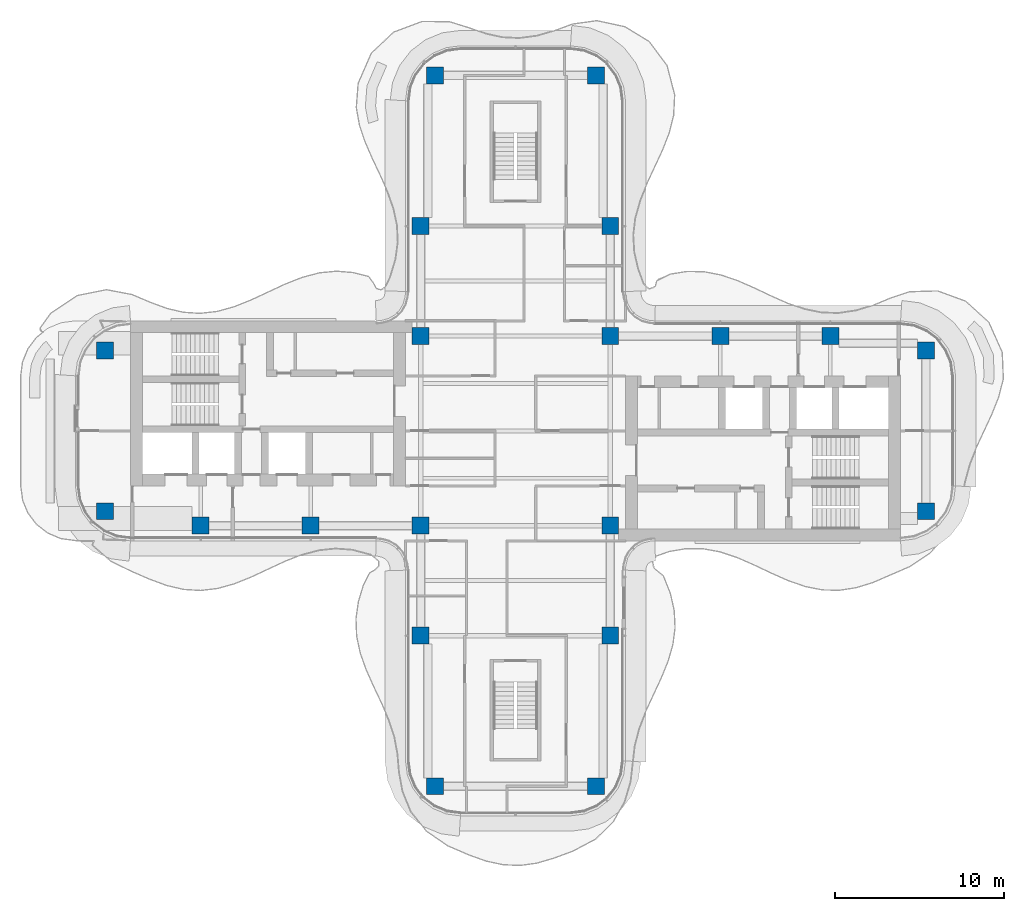
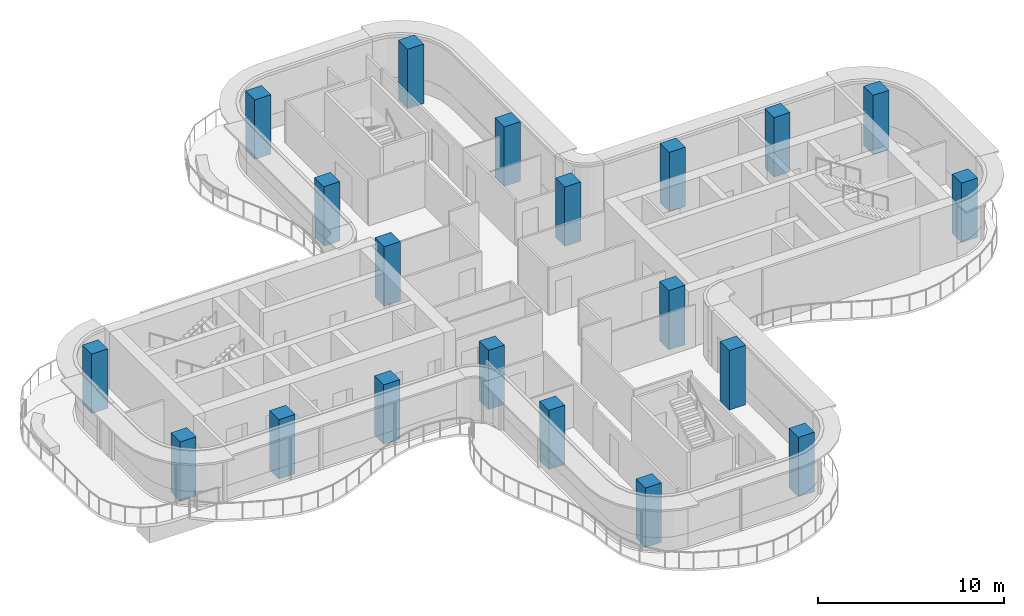
# One storey, part 1 of 17: 20 columns.
"""IFC4 building model written with IfcOpenShell, lengths in metres."""

from ifc_helpers import new_model, si_unit, direction, frame, origin, origin_2d, place, context, subcontext, project, spatial, rectangle, extrude, source, transform, mapped, material, material_profile, profile_set, type_object, element, save


model = new_model("IFC4")

# Units and contexts
model_context = context("Model", 3, precision=1e-05, world=origin(), true_north=direction((0.0, 1.0)))
body_context = subcontext(model_context, "Body", "Model", "MODEL_VIEW")
ifc_project = project(units=[si_unit("LENGTHUNIT", "METRE"), si_unit("AREAUNIT", "SQUARE_METRE"), si_unit("VOLUMEUNIT", "CUBIC_METRE"), si_unit("PLANEANGLEUNIT", "RADIAN"), si_unit("MASSUNIT", "GRAM", prefix="KILO")], contexts=[model_context])

# Site, building, storey
site_placement = place(None, origin())
site = spatial("IfcSite", under=ifc_project, at=site_placement, CompositionType="ELEMENT")
building_placement = place(site_placement, origin())
building = spatial("IfcBuilding", under=site, at=building_placement, Name="Trellis Farm Tower", CompositionType="ELEMENT")
storey_placement = place(building_placement, frame((0.0, 0.0, 279.39990234375)))
storey = spatial("IfcBuildingStorey", under=building, at=storey_placement, Name="L62", CompositionType="ELEMENT", Elevation=279.39990234375)

# Columns
ifc_material = material(Name="Concrete C60/75", Category="concrete")
ifc_material_profile = material_profile(ifc_material, rectangle(XDim=1.0, YDim=1.0, at=origin_2d()), Name="RC column 1000x1000 C60/75")
ifc_profile_set = profile_set([ifc_material_profile], Name="Concrete C60/75")
column_type = type_object("IfcColumnType", Name="RC column 1000x1000 C60/75", PredefinedType="COLUMN", material=ifc_profile_set)
shared_shape = source(origin(), body_context, "Body", "SweptSolid", [
    extrude(rectangle(XDim=1.0, YDim=1.0, at=origin_2d()), origin(), (0.0, 0.0, 1.0), 3.900146484375),
])
for number, where, z_axis, x_axis, name in (
    (1, (12.10009765625, 5.60009765625, 0.0), (0.0, 0.0, 1.0), (1.0, 0.0, 0.0), "Column"),
    (2, (18.60009765625, 5.60009765625, 0.0), (0.0, 0.0, 1.0), (1.0, 0.0, 0.0), "Column"),
    (3, (24.25, 4.75, 0.0), (0.0, 0.0, 1.0), (1.0, 0.0, 0.0), "Column"),
    (4, (24.25, -4.75, 0.0), (0.0, 0.0, 1.0), (1.0, 0.0, 0.0), "Column"),
    (5, (-5.60009765625, 12.10009765625, 0.0), (0.0, 0.0, 1.0), (1.0, 0.0, 0.0), "Column"),
    (6, (-4.75, 21.0, 0.0), (0.0, 0.0, 1.0), (1.0, 0.0, 0.0), "Column"),
    (7, (5.60009765625, 12.10009765625, 0.0), (0.0, 0.0, 1.0), (1.0, 0.0, 0.0), "Column"),
    (8, (4.75, 21.0, 0.0), (0.0, 0.0, 1.0), (1.0, 0.0, 0.0), "Column"),
    (9, (5.60009765625, 5.60009765625, 0.0), (0.0, 0.0, 1.0), (1.0, 0.0, 0.0), "Column"),
    (10, (-5.60009765625, 5.60009765625, 0.0), (0.0, 0.0, 1.0), (1.0, 0.0, 0.0), "Column"),
    (11, (5.60009765625, -5.60009765625, 0.0), (0.0, 0.0, 1.0), (1.0, 0.0, 0.0), "Column"),
    (12, (-5.60009765625, -5.60009765625, 0.0), (0.0, 0.0, 1.0), (1.0, 0.0, 0.0), "Column"),
    (13, (5.60009765625, -12.10009765625, 0.0), (0.0, 0.0, 1.0), (1.0, 0.0, 0.0), "Column"),
    (14, (4.75, -21.0, 0.0), (0.0, 0.0, 1.0), (1.0, 0.0, 0.0), "Column"),
    (15, (-5.60009765625, -12.10009765625, 0.0), (0.0, 0.0, 1.0), (1.0, 0.0, 0.0), "Column"),
    (16, (-4.75, -21.0, 0.0), (0.0, 0.0, 1.0), (1.0, 0.0, 0.0), "Column"),
    (17, (-12.10009765625, -5.60009765625, 0.0), (0.0, 0.0, 1.0), (1.0, 0.0, 0.0), "Column"),
    (18, (-18.60009765625, -5.60009765625, 0.0), (0.0, 0.0, 1.0), (1.0, 0.0, 0.0), "Column"),
    (19, (-24.25, -4.75, 0.0), (0.0, 0.0, 1.0), (1.0, 0.0, 0.0), "Column"),
    (20, (-24.25, 4.75, 0.0), (0.0, 0.0, 1.0), (1.0, 0.0, 0.0), "Column"),
):
    element("IfcColumn", number, at=place(storey_placement, frame(where, z_axis=z_axis, x_axis=x_axis)), inside=storey, type_object=column_type, Name=name, PredefinedType="COLUMN", context=body_context, shape_type="MappedRepresentation", body=[
        mapped(shared_shape, transform((0.0, 0.0, 0.0))),
    ])

save(model, "model.ifc")
